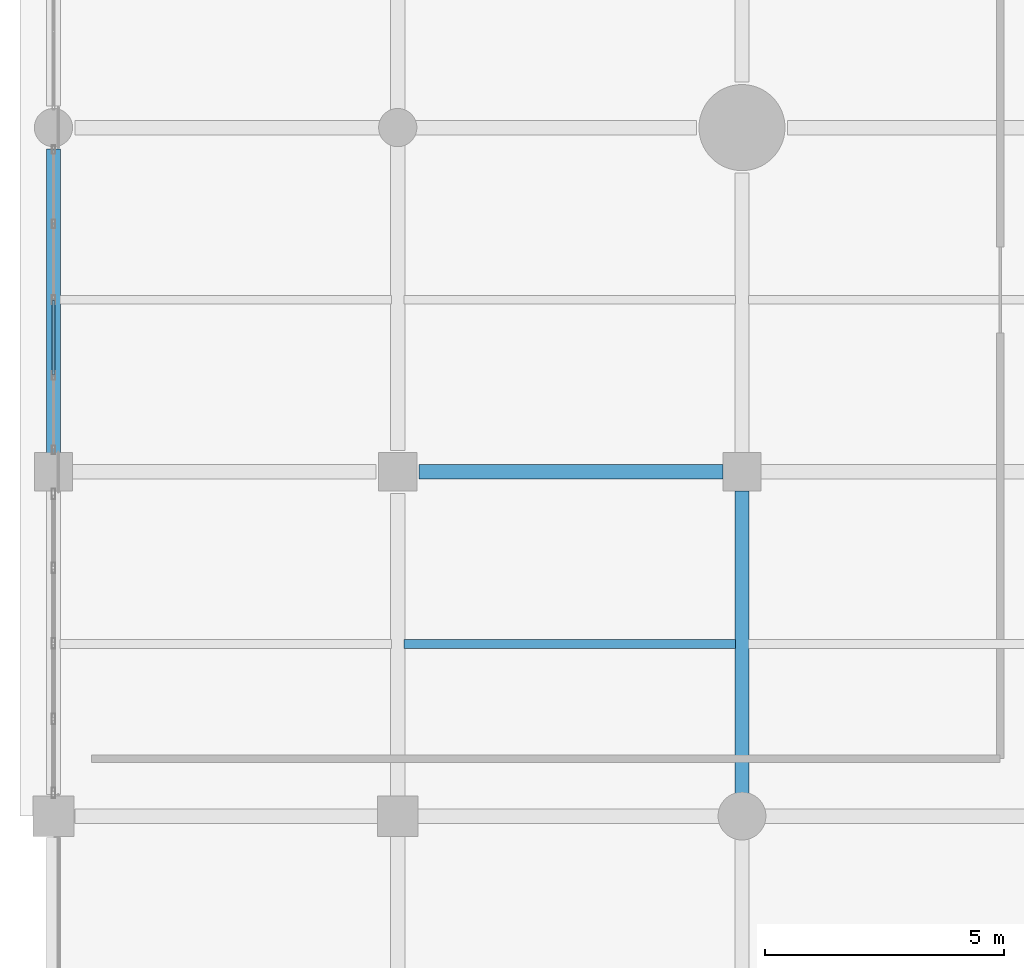
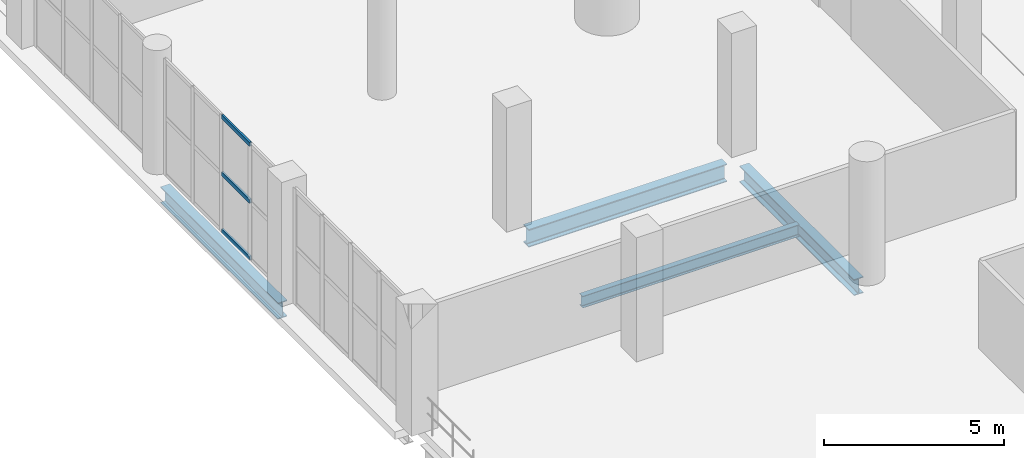
# One storey, part 12 of 153: 4 beams, 3 members, 1 element without a shape of its own.
"""IFC4 building model written with IfcOpenShell, lengths in metres."""

from ifc_helpers import new_model, si_unit, direction, frame, origin, origin_2d, place, context, subcontext, project, spatial, hollow_rectangle, i_section, extrude, material, material_profile, profile_set, type_object, element, aggregate, save


model = new_model("IFC4")

# Units and contexts
model_context = context("Model", 3, precision=1e-05, world=origin(), true_north=direction((0.0, 1.0)))
body_context = subcontext(model_context, "Body", "Model", "MODEL_VIEW")
ifc_project = project(units=[si_unit("LENGTHUNIT", "METRE"), si_unit("AREAUNIT", "SQUARE_METRE"), si_unit("VOLUMEUNIT", "CUBIC_METRE"), si_unit("PLANEANGLEUNIT", "RADIAN"), si_unit("MASSUNIT", "GRAM", prefix="KILO")], contexts=[model_context])

# Site, building, storey
site_placement = place(None, origin())
site = spatial("IfcSite", under=ifc_project, at=site_placement, CompositionType="ELEMENT")
building_placement = place(site_placement, origin())
building = spatial("IfcBuilding", under=site, at=building_placement, Name="Qandorah Velis Arena", CompositionType="ELEMENT")
storey_placement = place(building_placement, frame((0.0, 0.0, 5.39990234375)))
storey = spatial("IfcBuildingStorey", under=building, at=storey_placement, Name="L01", CompositionType="ELEMENT", Elevation=5.39990234375)

# Curtain wall, members
ifc_material_1 = material(Name="Solar-control low-E double glazing", Category="glass")
curtain_wall_type = type_object("IfcCurtainWallType", Name="ARC-CW-SYS02", PredefinedType="USERDEFINED", material=ifc_material_1)
curtain_wall_placement = place(storey_placement, origin())
curtain_wall = element("IfcCurtainWall", 1, at=curtain_wall_placement, inside=storey, type_object=curtain_wall_type, Name="Unitised curtain wall L01-002", ObjectType="UNITISED CURTAIN WALL", PredefinedType="USERDEFINED")
ifc_material_2 = material(Name="Champagne-bronze anodized aluminium 6063-T6", Category="aluminium")
ifc_material_profile_1 = material_profile(ifc_material_2, hollow_rectangle(XDim=0.06494140625, YDim=0.139892578125, WallThickness=0.0029296875, at=origin_2d()), Name="ALU TRANSOM 65x140")
ifc_profile_set_1 = profile_set([ifc_material_profile_1], Name="Champagne-bronze anodized aluminium 6063-T6")
member_type = type_object("IfcMemberType", Name="ARC-CWT-140", PredefinedType="USERDEFINED", material=ifc_profile_set_1)
member_1_placement = place(storey_placement, frame((0.0, 23.633056640625, 0.03271484375), z_axis=(0.0, 1.0, 0.0), x_axis=(-1.0, 0.0, 0.0)))
member_1 = element("IfcMember", 2, at=member_1_placement, type_object=member_type, Name="CW02 transom 2.1", ObjectType="TRANSOM", PredefinedType="USERDEFINED", context=body_context, shape_type="SweptSolid", body=[
    extrude(hollow_rectangle(XDim=0.06494140625, YDim=0.139892578125, WallThickness=0.0029296875, at=origin_2d()), origin(), (0.0, 0.0, 1.0), 1.54638671875),
])
member_2_placement = place(storey_placement, frame((0.0, 23.633056640625, 1.960205078125), z_axis=(0.0, 1.0, 0.0), x_axis=(-1.0, 0.0, 0.0)))
member_2 = element("IfcMember", 3, at=member_2_placement, type_object=member_type, Name="CW02 transom 2.2", ObjectType="TRANSOM", PredefinedType="USERDEFINED", context=body_context, shape_type="SweptSolid", body=[
    extrude(hollow_rectangle(XDim=0.06494140625, YDim=0.139892578125, WallThickness=0.0029296875, at=origin_2d()), origin(), (0.0, 0.0, 1.0), 1.54638671875),
])
member_3_placement = place(storey_placement, frame((0.0, 23.633056640625, 3.8876953125), z_axis=(0.0, 1.0, 0.0), x_axis=(-1.0, 0.0, 0.0)))
member_3 = element("IfcMember", 4, at=member_3_placement, type_object=member_type, Name="CW02 transom 2.3", ObjectType="TRANSOM", PredefinedType="USERDEFINED", context=body_context, shape_type="SweptSolid", body=[
    extrude(hollow_rectangle(XDim=0.06494140625, YDim=0.139892578125, WallThickness=0.0029296875, at=origin_2d()), origin(), (0.0, 0.0, 1.0), 1.54638671875),
])
aggregate(curtain_wall, [member_1, member_2, member_3])

# Beams
ifc_material_3 = material(Name="Steel S355", Category="steel")
ifc_material_profile_2 = material_profile(ifc_material_3, i_section(OverallWidth=0.300048828125, OverallDepth=0.550048828125, WebThickness=0.014892578125, FlangeThickness=0.029052734375, FilletRadius=0.027099609375, at=origin_2d()), Name="HEB 550")
ifc_profile_set_2 = profile_set([ifc_material_profile_2], Name="Steel S355")
beam_type_1 = type_object("IfcBeamType", Name="STR-BM-HEB550", PredefinedType="BEAM", material=ifc_profile_set_2)
beam_1_placement = place(storey_placement, frame((0.0, 21.85009765625, -0.635009765625), z_axis=(0.0, 1.0, 0.0), x_axis=(-1.0, 0.0, 0.0)))
element("IfcBeam", 5, at=beam_1_placement, inside=storey, type_object=beam_type_1, Name="Primary floor girder L01 Y-223", PredefinedType="BEAM", context=body_context, shape_type="SweptSolid", body=[
    extrude(i_section(OverallWidth=0.300048828125, OverallDepth=0.550048828125, WebThickness=0.014892578125, FlangeThickness=0.029052734375, FilletRadius=0.027099609375, at=origin_2d()), origin(), (0.0, 0.0, 1.0), 6.5),
])
beam_2_placement = place(storey_placement, frame((14.39990234375, 14.85009765625, -0.635009765625), z_axis=(0.0, 1.0, 0.0), x_axis=(-1.0, 0.0, 0.0)))
element("IfcBeam", 6, at=beam_2_placement, inside=storey, type_object=beam_type_1, Name="Primary floor girder L01 Y-258", PredefinedType="BEAM", context=body_context, shape_type="SweptSolid", body=[
    extrude(i_section(OverallWidth=0.300048828125, OverallDepth=0.550048828125, WebThickness=0.014892578125, FlangeThickness=0.029052734375, FilletRadius=0.027099609375, at=origin_2d()), origin(), (0.0, 0.0, 1.0), 6.349853515625),
])
ifc_material_profile_3 = material_profile(ifc_material_3, i_section(OverallWidth=0.300048828125, OverallDepth=0.60009765625, WebThickness=0.015380859375, FlangeThickness=0.030029296875, FilletRadius=0.027099609375, at=origin_2d()), Name="HEB 600")
ifc_profile_set_3 = profile_set([ifc_material_profile_3], Name="Steel S355")
beam_type_2 = type_object("IfcBeamType", Name="STR-BM-HEB600", PredefinedType="BEAM", material=ifc_profile_set_3)
beam_3_placement = place(storey_placement, frame((7.64990234375, 21.60009765625, -0.659912109375), z_axis=(1.0, 0.0, 0.0), x_axis=(0.0, 1.0, 0.0)))
element("IfcBeam", 7, at=beam_3_placement, inside=storey, type_object=beam_type_2, Name="Primary floor girder L01 X-050", PredefinedType="BEAM", context=body_context, shape_type="SweptSolid", body=[
    extrude(i_section(OverallWidth=0.300048828125, OverallDepth=0.60009765625, WebThickness=0.015380859375, FlangeThickness=0.030029296875, FilletRadius=0.027099609375, at=origin_2d()), origin(), (0.0, 0.0, 1.0), 6.35009765625),
])
ifc_material_profile_4 = material_profile(ifc_material_3, i_section(OverallWidth=0.179931640625, OverallDepth=0.39990234375, WebThickness=0.008544921875, FlangeThickness=0.013427734375, FilletRadius=0.02099609375, at=origin_2d()), Name="IPE 400")
ifc_profile_set_4 = profile_set([ifc_material_profile_4], Name="Steel S355")
beam_type_3 = type_object("IfcBeamType", Name="STR-JST-IPE400", PredefinedType="JOIST", material=ifc_profile_set_4)
beam_4_placement = place(storey_placement, frame((7.3349609375, 18.0, -0.559814453125), z_axis=(1.0, 0.0, 0.0), x_axis=(0.0, 1.0, 0.0)))
element("IfcBeam", 8, at=beam_4_placement, inside=storey, type_object=beam_type_3, Name="Secondary floor joist L01-017", PredefinedType="JOIST", context=body_context, shape_type="SweptSolid", body=[
    extrude(i_section(OverallWidth=0.179931640625, OverallDepth=0.39990234375, WebThickness=0.008544921875, FlangeThickness=0.013427734375, FilletRadius=0.02099609375, at=origin_2d()), origin(), (0.0, 0.0, 1.0), 6.929931640625),
])

save(model, "model.ifc")
